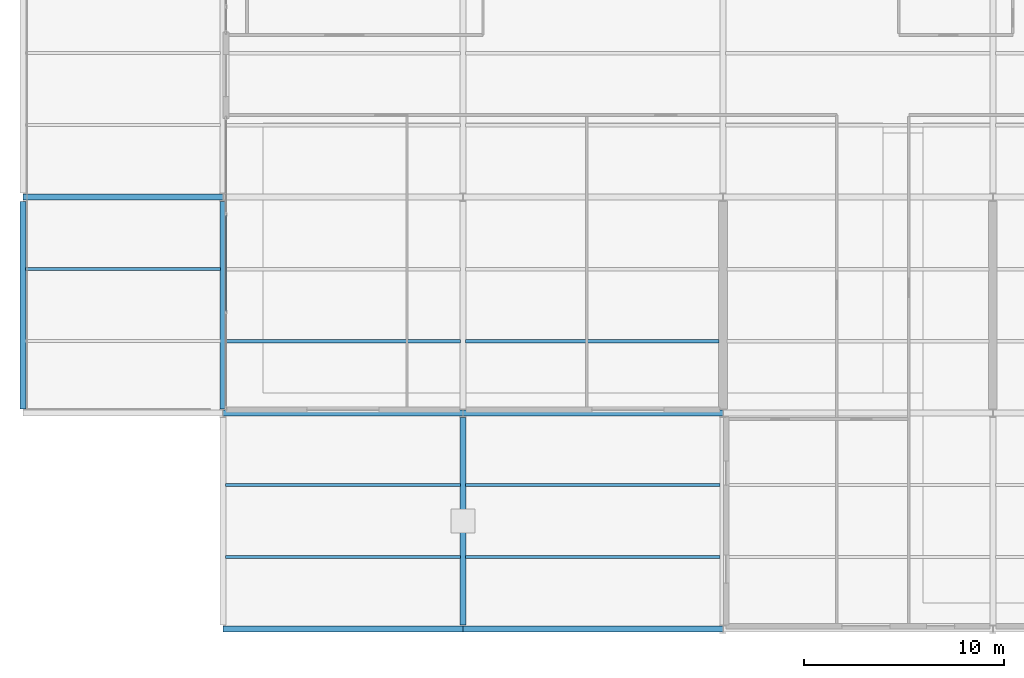
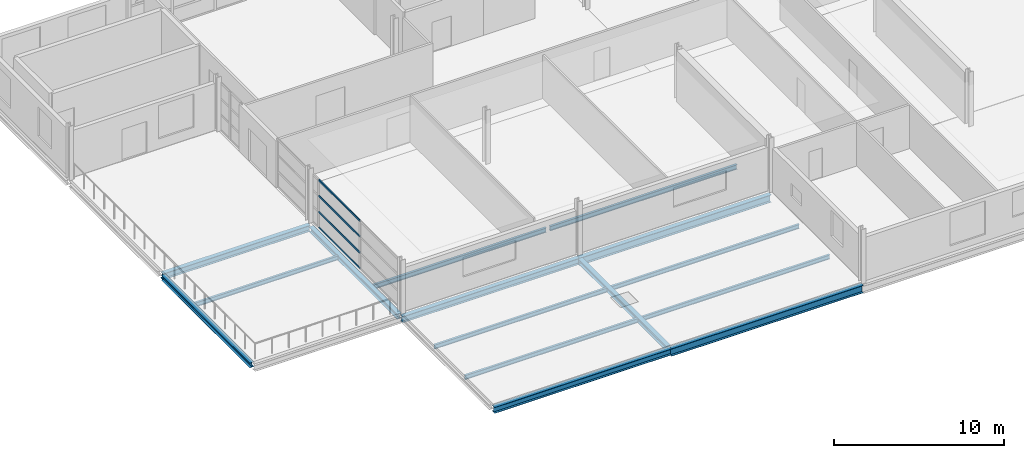
# One storey, part 7 of 33: 15 beams, 4 members, 1 element without a shape of its own.
"""IFC4 building model written with IfcOpenShell, lengths in metres."""

from ifc_helpers import new_model, si_unit, direction, frame, origin, origin_2d, place, context, subcontext, project, spatial, hollow_rectangle, i_section, extrude, material, layer, layer_set, material_profile, profile_set, type_object, element, aggregate, save


model = new_model("IFC4")

# Units and contexts
model_context = context("Model", 3, precision=1e-05, world=origin(), true_north=direction((0.0, 1.0)))
body_context = subcontext(model_context, "Body", "Model", "MODEL_VIEW")
ifc_project = project(units=[si_unit("LENGTHUNIT", "METRE"), si_unit("AREAUNIT", "SQUARE_METRE"), si_unit("VOLUMEUNIT", "CUBIC_METRE"), si_unit("PLANEANGLEUNIT", "RADIAN"), si_unit("MASSUNIT", "GRAM", prefix="KILO")], contexts=[model_context])

# Site, building, storey
site_placement = place(None, origin())
site = spatial("IfcSite", under=ifc_project, at=site_placement, CompositionType="ELEMENT")
building_placement = place(site_placement, origin())
building = spatial("IfcBuilding", under=site, at=building_placement, Name="Tamarisk Ironworks Central Station", CompositionType="ELEMENT")
storey_placement = place(building_placement, frame((0.0, 0.0, 21.300048828125)))
storey = spatial("IfcBuildingStorey", under=building, at=storey_placement, Name="L04", CompositionType="ELEMENT", Elevation=21.300048828125)

# Beams
ifc_material_1 = material(Name="Structural steel S355J2", Category="steel")
ifc_material_profile_1 = material_profile(ifc_material_1, i_section(OverallWidth=0.159912109375, OverallDepth=0.330078125, WebThickness=0.007568359375, FlangeThickness=0.011474609375, at=origin_2d()), Name="IPE 330")
ifc_profile_set_1 = profile_set([ifc_material_profile_1], Name="Structural steel S355J2")
beam_type_1 = type_object("IfcBeamType", Name="BM-B06", PredefinedType="BEAM", material=ifc_profile_set_1)
beam_1_placement = place(storey_placement, frame((128.135009765625, 93.60009765625, -0.385009765625), z_axis=(1.0, 0.0, 0.0), x_axis=(0.0, 1.0, 0.0)))
element("IfcBeam", 1, at=beam_1_placement, inside=storey, type_object=beam_type_1, Name="L04 secondary composite beam 0237", PredefinedType="BEAM", context=body_context, shape_type="SweptSolid", body=[
    extrude(i_section(OverallWidth=0.159912109375, OverallDepth=0.330078125, WebThickness=0.007568359375, FlangeThickness=0.011474609375, at=origin_2d()), origin(), (0.0, 0.0, 1.0), 11.72998046875),
])
beam_2_placement = place(storey_placement, frame((140.135009765625, 93.60009765625, -0.385009765625), z_axis=(1.0, 0.0, 0.0), x_axis=(0.0, 1.0, 0.0)))
element("IfcBeam", 2, at=beam_2_placement, inside=storey, type_object=beam_type_1, Name="L04 secondary composite beam 0241", PredefinedType="BEAM", context=body_context, shape_type="SweptSolid", body=[
    extrude(i_section(OverallWidth=0.159912109375, OverallDepth=0.330078125, WebThickness=0.007568359375, FlangeThickness=0.011474609375, at=origin_2d()), origin(), (0.0, 0.0, 1.0), 12.6650390625),
])
ifc_material_profile_2 = material_profile(ifc_material_1, i_section(OverallWidth=0.14990234375, OverallDepth=0.300048828125, WebThickness=0.007080078125, FlangeThickness=0.0107421875, at=origin_2d()), Name="IPE 300")
ifc_profile_set_2 = profile_set([ifc_material_profile_2], Name="Structural steel S355J2")
beam_type_2 = type_object("IfcBeamType", Name="BM-B07", PredefinedType="BEAM", material=ifc_profile_set_2)
beam_3_placement = place(storey_placement, frame((118.135009765625, 97.199951171875, -0.35009765625), z_axis=(1.0, 0.0, 0.0), x_axis=(0.0, 1.0, 0.0)))
element("IfcBeam", 3, at=beam_3_placement, inside=storey, type_object=beam_type_2, Name="L04 secondary composite beam 0234", PredefinedType="BEAM", context=body_context, shape_type="SweptSolid", body=[
    extrude(i_section(OverallWidth=0.14990234375, OverallDepth=0.300048828125, WebThickness=0.007080078125, FlangeThickness=0.0107421875, at=origin_2d()), origin(), (0.0, 0.0, 1.0), 9.72998046875),
])
for number, where, z_axis, x_axis, name in (
    (4, (128.135009765625, 82.800048828125, -0.31005859375), (1.0, 0.0, 0.0), (0.0, 1.0, 0.0), "L04 secondary composite beam 0254"),
    (5, (128.135009765625, 86.39990234375, -0.31005859375), (1.0, 0.0, 0.0), (0.0, 1.0, 0.0), "L04 secondary composite beam 0255"),
):
    element("IfcBeam", number, at=place(storey_placement, frame(where, z_axis=z_axis, x_axis=x_axis)), inside=storey, type_object=beam_type_2, Name=name, PredefinedType="BEAM", context=body_context, shape_type="SweptSolid", body=[
        extrude(i_section(OverallWidth=0.14990234375, OverallDepth=0.300048828125, WebThickness=0.007080078125, FlangeThickness=0.0107421875, at=origin_2d()), origin(), (0.0, 0.0, 1.0), 11.72998046875),
    ])
for number, where, z_axis, x_axis, name in (
    (6, (140.135009765625, 82.800048828125, -0.31005859375), (1.0, 0.0, 0.0), (0.0, 1.0, 0.0), "L04 secondary composite beam 0256"),
    (7, (140.135009765625, 86.39990234375, -0.31005859375), (1.0, 0.0, 0.0), (0.0, 1.0, 0.0), "L04 secondary composite beam 0257"),
):
    element("IfcBeam", number, at=place(storey_placement, frame(where, z_axis=z_axis, x_axis=x_axis)), inside=storey, type_object=beam_type_2, Name=name, PredefinedType="BEAM", context=body_context, shape_type="SweptSolid", body=[
        extrude(i_section(OverallWidth=0.14990234375, OverallDepth=0.300048828125, WebThickness=0.007080078125, FlangeThickness=0.0107421875, at=origin_2d()), origin(), (0.0, 0.0, 1.0), 12.72998046875),
    ])
ifc_material_profile_3 = material_profile(ifc_material_1, i_section(OverallWidth=0.300048828125, OverallDepth=0.5400390625, WebThickness=0.012451171875, FlangeThickness=0.02392578125, at=origin_2d()), Name="HEA 550")
ifc_profile_set_3 = profile_set([ifc_material_profile_3], Name="Structural steel S355J2")
beam_type_3 = type_object("IfcBeamType", Name="BM-G04", PredefinedType="BEAM", material=ifc_profile_set_3)
for number, where, z_axis, x_axis, name in (
    (8, (140.00390625, 79.199951171875, -0.429931640625), (1.0, 0.0, 0.0), (0.0, 1.0, 0.0), "L04 primary girder X-0707"),
    (9, (140.00390625, 90.0, -0.489990234375), (1.0, 0.0, 0.0), (0.0, 1.0, 0.0), "L04 primary girder X-0712"),
):
    element("IfcBeam", number, at=place(storey_placement, frame(where, z_axis=z_axis, x_axis=x_axis)), inside=storey, type_object=beam_type_3, Name=name, PredefinedType="BEAM", context=body_context, shape_type="SweptSolid", body=[
        extrude(i_section(OverallWidth=0.300048828125, OverallDepth=0.5400390625, WebThickness=0.012451171875, FlangeThickness=0.02392578125, at=origin_2d()), origin(), (0.0, 0.0, 1.0), 12.9921875),
    ])
ifc_material_profile_4 = material_profile(ifc_material_1, i_section(OverallWidth=0.300048828125, OverallDepth=0.43994140625, WebThickness=0.011474609375, FlangeThickness=0.02099609375, at=origin_2d()), Name="HEA 450")
ifc_profile_set_4 = profile_set([ifc_material_profile_4], Name="Structural steel S355J2")
beam_type_4 = type_object("IfcBeamType", Name="BM-G06", PredefinedType="BEAM", material=ifc_profile_set_4)
for number, where, z_axis, x_axis, name in (
    (10, (128.00390625, 79.199951171875, -0.380126953125), (1.0, 0.0, 0.0), (0.0, 1.0, 0.0), "L04 primary girder X-0706"),
    (11, (128.00390625, 90.0, -0.43994140625), (1.0, 0.0, 0.0), (0.0, 1.0, 0.0), "L04 primary girder X-0711"),
):
    element("IfcBeam", number, at=place(storey_placement, frame(where, z_axis=z_axis, x_axis=x_axis)), inside=storey, type_object=beam_type_4, Name=name, PredefinedType="BEAM", context=body_context, shape_type="SweptSolid", body=[
        extrude(i_section(OverallWidth=0.300048828125, OverallDepth=0.43994140625, WebThickness=0.011474609375, FlangeThickness=0.02099609375, at=origin_2d()), origin(), (0.0, 0.0, 1.0), 11.9921875),
    ])
beam_4_placement = place(storey_placement, frame((118.00390625, 100.800048828125, -0.420166015625), z_axis=(1.0, 0.0, 0.0), x_axis=(0.0, 1.0, 0.0)))
element("IfcBeam", 12, at=beam_4_placement, inside=storey, type_object=beam_type_4, Name="L04 primary girder X-0715", PredefinedType="BEAM", context=body_context, shape_type="SweptSolid", body=[
    extrude(i_section(OverallWidth=0.300048828125, OverallDepth=0.43994140625, WebThickness=0.011474609375, FlangeThickness=0.02099609375, at=origin_2d()), origin(), (0.0, 0.0, 1.0), 9.9921875),
])
ifc_material_profile_5 = material_profile(ifc_material_1, i_section(OverallWidth=0.300048828125, OverallDepth=0.35009765625, WebThickness=0.010009765625, FlangeThickness=0.017578125, at=origin_2d()), Name="HEA 360")
ifc_profile_set_5 = profile_set([ifc_material_profile_5], Name="Structural steel S355J2")
beam_type_5 = type_object("IfcBeamType", Name="BM-G08", PredefinedType="BEAM", material=ifc_profile_set_5)
for number, where, z_axis, x_axis, name in (
    (13, (118.0, 90.212890625, -0.375), (0.0, 1.0, 0.0), (-1.0, 0.0, 0.0), "L04 primary girder Y-0730"),
    (14, (128.0, 90.212890625, -0.39501953125), (0.0, 1.0, 0.0), (-1.0, 0.0, 0.0), "L04 primary girder Y-0734"),
    (15, (140.0, 79.4130859375, -0.3349609375), (0.0, 1.0, 0.0), (-1.0, 0.0, 0.0), "L04 primary girder Y-0736"),
):
    element("IfcBeam", number, at=place(storey_placement, frame(where, z_axis=z_axis, x_axis=x_axis)), inside=storey, type_object=beam_type_5, Name=name, PredefinedType="BEAM", context=body_context, shape_type="SweptSolid", body=[
        extrude(i_section(OverallWidth=0.300048828125, OverallDepth=0.35009765625, WebThickness=0.010009765625, FlangeThickness=0.017578125, at=origin_2d()), origin(), (0.0, 0.0, 1.0), 10.3740234375),
    ])

# Curtain wall, members
ifc_material_2 = material(Name="Anodized aluminium alloy 6063-T6", Category="aluminium")
ifc_layer = layer(ifc_material_2, 0.179931640625)
ifc_layer_set = layer_set([ifc_layer], Name="Anodized aluminium alloy 6063-T6")
curtain_wall_type = type_object("IfcCurtainWallType", Name="CW-19", PredefinedType="USERDEFINED", material=ifc_layer_set)
curtain_wall_placement = place(storey_placement, origin())
curtain_wall = element("IfcCurtainWall", 16, at=curtain_wall_placement, inside=storey, type_object=curtain_wall_type, Name="Crown terrace overlook curtain wall L04-156", ObjectType="GLAZED CURTAIN WALL", PredefinedType="USERDEFINED")
ifc_material_profile_6 = material_profile(ifc_material_2, hollow_rectangle(XDim=0.06494140625, YDim=0.135009765625, WallThickness=0.00341796875, at=origin_2d()), Name="ALUM 135x65")
ifc_profile_set_6 = profile_set([ifc_material_profile_6], Name="Anodized aluminium alloy 6063-T6")
member_type = type_object("IfcMemberType", Name="CWT-02", PredefinedType="USERDEFINED", material=ifc_profile_set_6)
member_1_placement = place(storey_placement, frame((128.14990234375, 95.09375, 0.032470703125), z_axis=(0.0, 1.0, 0.0), x_axis=(-1.0, 0.0, 0.0)))
member_1 = element("IfcMember", 17, at=member_1_placement, type_object=member_type, Name="CW19 transom 2.1", ObjectType="TRANSOM", PredefinedType="USERDEFINED", context=body_context, shape_type="SweptSolid", body=[
    extrude(hollow_rectangle(XDim=0.06494140625, YDim=0.135009765625, WallThickness=0.00341796875, at=origin_2d()), origin(), (0.0, 0.0, 1.0), 4.810302734375),
])
member_2_placement = place(storey_placement, frame((128.14990234375, 95.09375, 1.1533203125), z_axis=(0.0, 1.0, 0.0), x_axis=(-1.0, 0.0, 0.0)))
member_2 = element("IfcMember", 18, at=member_2_placement, type_object=member_type, Name="CW19 transom 2.2", ObjectType="TRANSOM", PredefinedType="USERDEFINED", context=body_context, shape_type="SweptSolid", body=[
    extrude(hollow_rectangle(XDim=0.06494140625, YDim=0.135009765625, WallThickness=0.00341796875, at=origin_2d()), origin(), (0.0, 0.0, 1.0), 4.810302734375),
])
member_3_placement = place(storey_placement, frame((128.14990234375, 95.09375, 2.306640625), z_axis=(0.0, 1.0, 0.0), x_axis=(-1.0, 0.0, 0.0)))
member_3 = element("IfcMember", 19, at=member_3_placement, type_object=member_type, Name="CW19 transom 2.3", ObjectType="TRANSOM", PredefinedType="USERDEFINED", context=body_context, shape_type="SweptSolid", body=[
    extrude(hollow_rectangle(XDim=0.06494140625, YDim=0.135009765625, WallThickness=0.00341796875, at=origin_2d()), origin(), (0.0, 0.0, 1.0), 4.810302734375),
])
member_4_placement = place(storey_placement, frame((128.14990234375, 95.09375, 3.427490234375), z_axis=(0.0, 1.0, 0.0), x_axis=(-1.0, 0.0, 0.0)))
member_4 = element("IfcMember", 20, at=member_4_placement, type_object=member_type, Name="CW19 transom 2.4", ObjectType="TRANSOM", PredefinedType="USERDEFINED", context=body_context, shape_type="SweptSolid", body=[
    extrude(hollow_rectangle(XDim=0.06494140625, YDim=0.135009765625, WallThickness=0.00341796875, at=origin_2d()), origin(), (0.0, 0.0, 1.0), 4.810302734375),
])
aggregate(curtain_wall, [member_1, member_2, member_3, member_4])

save(model, "model.ifc")
